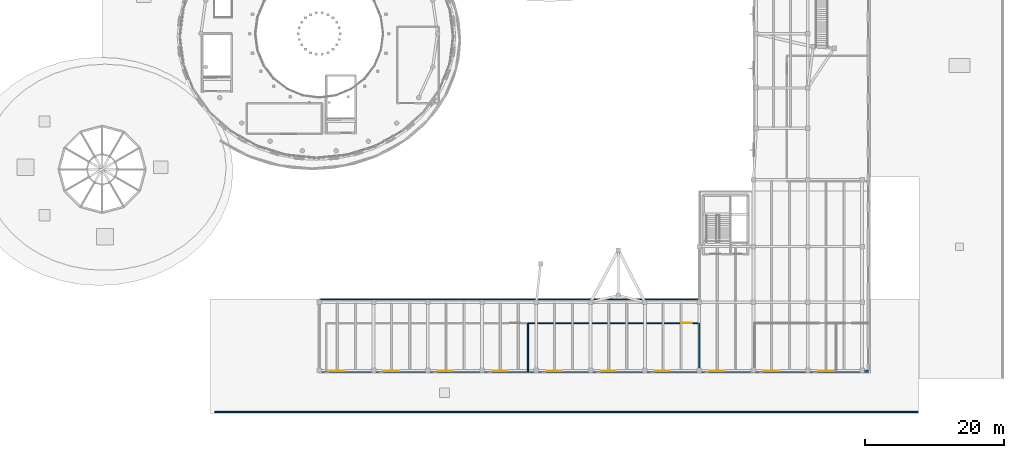
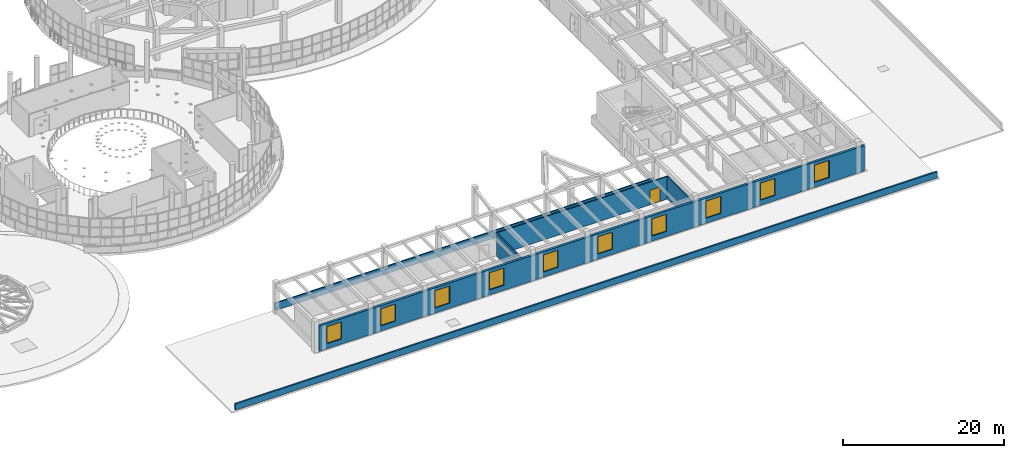
# One storey, part 87 of 105: 10 windows, 6 walls, 1 door, 11 openings.
"""IFC4 building model written with IfcOpenShell, lengths in metres."""

from ifc_helpers import new_model, si_unit, direction, frame, frame_2d, origin, place, context, subcontext, project, spatial, rectangle, extrude, material, layer, layer_set, type_object, element, fill, save


model = new_model("IFC4")

# Units and contexts
model_context = context("Model", 3, precision=1e-05, world=origin(), true_north=direction((0.0, 1.0)))
body_context = subcontext(model_context, "Body", "Model", "MODEL_VIEW")
ifc_project = project(units=[si_unit("LENGTHUNIT", "METRE"), si_unit("AREAUNIT", "SQUARE_METRE"), si_unit("VOLUMEUNIT", "CUBIC_METRE"), si_unit("PLANEANGLEUNIT", "RADIAN"), si_unit("MASSUNIT", "GRAM", prefix="KILO")], contexts=[model_context])

# Site, building, storey
site_placement = place(None, origin())
site = spatial("IfcSite", under=ifc_project, at=site_placement, CompositionType="ELEMENT")
building_placement = place(site_placement, origin())
building = spatial("IfcBuilding", under=site, at=building_placement, Name="Pelvatis Terrace Science Centre", CompositionType="ELEMENT")
storey_placement = place(building_placement, frame((0.0, 0.0, 10.199951171875)))
storey = spatial("IfcBuildingStorey", under=building, at=storey_placement, Name="L02", CompositionType="ELEMENT", Elevation=10.199951171875)

# Wall, openings, windows
ifc_material_1 = material(Name="Precast concrete C35/45 architectural stone", Category="masonry")
ifc_layer_1 = layer(ifc_material_1, 0.324951171875)
ifc_layer_set_1 = layer_set([ifc_layer_1], Name="Precast concrete C35/45 architectural stone")
wall_type_1 = type_object("IfcWallType", Name="WL-EXT-PREC-325", PredefinedType="SOLIDWALL", material=ifc_layer_set_1)
wall_1_placement = place(storey_placement, frame((78.39990234375, 6.10009765625, 0.0), z_axis=(0.0, 0.0, 1.0), x_axis=(1.0, 0.0, 0.0)))
wall_1 = element("IfcWall", 1, at=wall_1_placement, inside=storey, type_object=wall_type_1, Name="Exterior classical Art Deco facade wall EW-L02-S", PredefinedType="SOLIDWALL", context=body_context, shape_type="SweptSolid", body=[
    extrude(rectangle(XDim=78.5, YDim=0.324951171875, at=frame_2d((39.25, 0.0))), origin(), (0.0, 0.0, 1.0), 3.860107421875),
])
opening_1_placement = place(wall_1_placement, frame((1.10009765625, 0.0, 0.780029296875)))
opening_1 = element("IfcOpeningElement", 2, at=opening_1_placement, cuts=wall_1, Name="Opening W-056", PredefinedType="OPENING", context=body_context, shape_type="SweptSolid", body=[
    extrude(rectangle(XDim=2.10009765625, YDim=2.60009765625, at=frame_2d((1.050048828125, 1.300048828125))), frame((0.0, 0.17236328125, 0.0), z_axis=(0.0, -1.0, 0.0), x_axis=(1.0, 0.0, 0.0)), (0.0, 0.0, 1.0), 0.344970703125),
])
opening_2_placement = place(wall_1_placement, frame((8.89990234375, 0.0, 0.780029296875)))
opening_2 = element("IfcOpeningElement", 3, at=opening_2_placement, cuts=wall_1, Name="Opening W-057", PredefinedType="OPENING", context=body_context, shape_type="SweptSolid", body=[
    extrude(rectangle(XDim=2.10009765625, YDim=2.60009765625, at=frame_2d((1.050048828125, 1.300048828125))), frame((0.0, 0.17236328125, 0.0), z_axis=(0.0, -1.0, 0.0), x_axis=(1.0, 0.0, 0.0)), (0.0, 0.0, 1.0), 0.344970703125),
])
opening_3_placement = place(wall_1_placement, frame((16.699951171875, 0.0, 0.780029296875)))
opening_3 = element("IfcOpeningElement", 4, at=opening_3_placement, cuts=wall_1, Name="Opening W-058", PredefinedType="OPENING", context=body_context, shape_type="SweptSolid", body=[
    extrude(rectangle(XDim=2.10009765625, YDim=2.60009765625, at=frame_2d((1.050048828125, 1.300048828125))), frame((0.0, 0.17236328125, 0.0), z_axis=(0.0, -1.0, 0.0), x_axis=(1.0, 0.0, 0.0)), (0.0, 0.0, 1.0), 0.344970703125),
])
opening_4_placement = place(wall_1_placement, frame((24.5, 0.0, 0.780029296875)))
opening_4 = element("IfcOpeningElement", 5, at=opening_4_placement, cuts=wall_1, Name="Opening W-059", PredefinedType="OPENING", context=body_context, shape_type="SweptSolid", body=[
    extrude(rectangle(XDim=2.10009765625, YDim=2.60009765625, at=frame_2d((1.050048828125, 1.300048828125))), frame((0.0, 0.17236328125, 0.0), z_axis=(0.0, -1.0, 0.0), x_axis=(1.0, 0.0, 0.0)), (0.0, 0.0, 1.0), 0.344970703125),
])
opening_5_placement = place(wall_1_placement, frame((32.300048828125, 0.0, 0.780029296875)))
opening_5 = element("IfcOpeningElement", 6, at=opening_5_placement, cuts=wall_1, Name="Opening W-060", PredefinedType="OPENING", context=body_context, shape_type="SweptSolid", body=[
    extrude(rectangle(XDim=2.10009765625, YDim=2.60009765625, at=frame_2d((1.050048828125, 1.300048828125))), frame((0.0, 0.17236328125, 0.0), z_axis=(0.0, -1.0, 0.0), x_axis=(1.0, 0.0, 0.0)), (0.0, 0.0, 1.0), 0.344970703125),
])
opening_6_placement = place(wall_1_placement, frame((40.10009765625, 0.0, 0.780029296875)))
opening_6 = element("IfcOpeningElement", 7, at=opening_6_placement, cuts=wall_1, Name="Opening W-061", PredefinedType="OPENING", context=body_context, shape_type="SweptSolid", body=[
    extrude(rectangle(XDim=2.10009765625, YDim=2.60009765625, at=frame_2d((1.050048828125, 1.300048828125))), frame((0.0, 0.17236328125, 0.0), z_axis=(0.0, -1.0, 0.0), x_axis=(1.0, 0.0, 0.0)), (0.0, 0.0, 1.0), 0.344970703125),
])
opening_7_placement = place(wall_1_placement, frame((47.89990234375, 0.0, 0.780029296875)))
opening_7 = element("IfcOpeningElement", 8, at=opening_7_placement, cuts=wall_1, Name="Opening W-062", PredefinedType="OPENING", context=body_context, shape_type="SweptSolid", body=[
    extrude(rectangle(XDim=2.10009765625, YDim=2.60009765625, at=frame_2d((1.050048828125, 1.300048828125))), frame((0.0, 0.17236328125, 0.0), z_axis=(0.0, -1.0, 0.0), x_axis=(1.0, 0.0, 0.0)), (0.0, 0.0, 1.0), 0.344970703125),
])
opening_8_placement = place(wall_1_placement, frame((55.699951171875, 0.0, 0.780029296875)))
opening_8 = element("IfcOpeningElement", 9, at=opening_8_placement, cuts=wall_1, Name="Opening W-063", PredefinedType="OPENING", context=body_context, shape_type="SweptSolid", body=[
    extrude(rectangle(XDim=2.10009765625, YDim=2.60009765625, at=frame_2d((1.050048828125, 1.300048828125))), frame((0.0, 0.17236328125, 0.0), z_axis=(0.0, -1.0, 0.0), x_axis=(1.0, 0.0, 0.0)), (0.0, 0.0, 1.0), 0.344970703125),
])
opening_9_placement = place(wall_1_placement, frame((63.5, 0.0, 0.780029296875)))
opening_9 = element("IfcOpeningElement", 10, at=opening_9_placement, cuts=wall_1, Name="Opening W-064", PredefinedType="OPENING", context=body_context, shape_type="SweptSolid", body=[
    extrude(rectangle(XDim=2.10009765625, YDim=2.60009765625, at=frame_2d((1.050048828125, 1.300048828125))), frame((0.0, 0.17236328125, 0.0), z_axis=(0.0, -1.0, 0.0), x_axis=(1.0, 0.0, 0.0)), (0.0, 0.0, 1.0), 0.344970703125),
])
opening_10_placement = place(wall_1_placement, frame((71.300048828125, 0.0, 0.780029296875)))
opening_10 = element("IfcOpeningElement", 11, at=opening_10_placement, cuts=wall_1, Name="Opening W-065", PredefinedType="OPENING", context=body_context, shape_type="SweptSolid", body=[
    extrude(rectangle(XDim=2.10009765625, YDim=2.60009765625, at=frame_2d((1.050048828125, 1.300048828125))), frame((0.0, 0.17236328125, 0.0), z_axis=(0.0, -1.0, 0.0), x_axis=(1.0, 0.0, 0.0)), (0.0, 0.0, 1.0), 0.344970703125),
])
ifc_material_2 = material(Name="Bronze-anodised aluminium and laminated low-e glass", Category="aluminium")
window_type = type_object("IfcWindowType", Name="WIN-AD-2100x2600", PartitioningType="SINGLE_PANEL", PredefinedType="WINDOW", material=ifc_material_2)
window_1_placement = place(opening_1_placement, origin())
window_1 = element("IfcWindow", 12, at=window_1_placement, inside=storey, type_object=window_type, Name="Art Deco facade window W-056 (L02)", OverallHeight=2.60009765625, OverallWidth=2.10009765625, PartitioningType="SINGLE_PANEL", PredefinedType="WINDOW", context=body_context, shape_type="SweptSolid", body=[
    extrude(rectangle(XDim=2.10009765625, YDim=2.60009765625, at=frame_2d((1.050048828125, 1.300048828125))), frame((0.0, 0.030029296875, 0.0), z_axis=(0.0, -1.0, 0.0), x_axis=(1.0, 0.0, 0.0)), (0.0, 0.0, 1.0), 0.06005859375),
])
fill(opening_1, window_1)
window_2_placement = place(opening_2_placement, origin())
window_2 = element("IfcWindow", 13, at=window_2_placement, inside=storey, type_object=window_type, Name="Art Deco facade window W-057 (L02)", OverallHeight=2.60009765625, OverallWidth=2.10009765625, PartitioningType="SINGLE_PANEL", PredefinedType="WINDOW", context=body_context, shape_type="SweptSolid", body=[
    extrude(rectangle(XDim=2.10009765625, YDim=2.60009765625, at=frame_2d((1.050048828125, 1.300048828125))), frame((0.0, 0.030029296875, 0.0), z_axis=(0.0, -1.0, 0.0), x_axis=(1.0, 0.0, 0.0)), (0.0, 0.0, 1.0), 0.06005859375),
])
fill(opening_2, window_2)
window_3_placement = place(opening_3_placement, origin())
window_3 = element("IfcWindow", 14, at=window_3_placement, inside=storey, type_object=window_type, Name="Art Deco facade window W-058 (L02)", OverallHeight=2.60009765625, OverallWidth=2.10009765625, PartitioningType="SINGLE_PANEL", PredefinedType="WINDOW", context=body_context, shape_type="SweptSolid", body=[
    extrude(rectangle(XDim=2.10009765625, YDim=2.60009765625, at=frame_2d((1.050048828125, 1.300048828125))), frame((0.0, 0.030029296875, 0.0), z_axis=(0.0, -1.0, 0.0), x_axis=(1.0, 0.0, 0.0)), (0.0, 0.0, 1.0), 0.06005859375),
])
fill(opening_3, window_3)
window_4_placement = place(opening_4_placement, origin())
window_4 = element("IfcWindow", 15, at=window_4_placement, inside=storey, type_object=window_type, Name="Art Deco facade window W-059 (L02)", OverallHeight=2.60009765625, OverallWidth=2.10009765625, PartitioningType="SINGLE_PANEL", PredefinedType="WINDOW", context=body_context, shape_type="SweptSolid", body=[
    extrude(rectangle(XDim=2.10009765625, YDim=2.60009765625, at=frame_2d((1.050048828125, 1.300048828125))), frame((0.0, 0.030029296875, 0.0), z_axis=(0.0, -1.0, 0.0), x_axis=(1.0, 0.0, 0.0)), (0.0, 0.0, 1.0), 0.06005859375),
])
fill(opening_4, window_4)
window_5_placement = place(opening_5_placement, origin())
window_5 = element("IfcWindow", 16, at=window_5_placement, inside=storey, type_object=window_type, Name="Art Deco facade window W-060 (L02)", OverallHeight=2.60009765625, OverallWidth=2.10009765625, PartitioningType="SINGLE_PANEL", PredefinedType="WINDOW", context=body_context, shape_type="SweptSolid", body=[
    extrude(rectangle(XDim=2.10009765625, YDim=2.60009765625, at=frame_2d((1.050048828125, 1.300048828125))), frame((0.0, 0.030029296875, 0.0), z_axis=(0.0, -1.0, 0.0), x_axis=(1.0, 0.0, 0.0)), (0.0, 0.0, 1.0), 0.06005859375),
])
fill(opening_5, window_5)
window_6_placement = place(opening_6_placement, origin())
window_6 = element("IfcWindow", 17, at=window_6_placement, inside=storey, type_object=window_type, Name="Art Deco facade window W-061 (L02)", OverallHeight=2.60009765625, OverallWidth=2.10009765625, PartitioningType="SINGLE_PANEL", PredefinedType="WINDOW", context=body_context, shape_type="SweptSolid", body=[
    extrude(rectangle(XDim=2.10009765625, YDim=2.60009765625, at=frame_2d((1.050048828125, 1.300048828125))), frame((0.0, 0.030029296875, 0.0), z_axis=(0.0, -1.0, 0.0), x_axis=(1.0, 0.0, 0.0)), (0.0, 0.0, 1.0), 0.06005859375),
])
fill(opening_6, window_6)
window_7_placement = place(opening_7_placement, origin())
window_7 = element("IfcWindow", 18, at=window_7_placement, inside=storey, type_object=window_type, Name="Art Deco facade window W-062 (L02)", OverallHeight=2.60009765625, OverallWidth=2.10009765625, PartitioningType="SINGLE_PANEL", PredefinedType="WINDOW", context=body_context, shape_type="SweptSolid", body=[
    extrude(rectangle(XDim=2.10009765625, YDim=2.60009765625, at=frame_2d((1.050048828125, 1.300048828125))), frame((0.0, 0.030029296875, 0.0), z_axis=(0.0, -1.0, 0.0), x_axis=(1.0, 0.0, 0.0)), (0.0, 0.0, 1.0), 0.06005859375),
])
fill(opening_7, window_7)
window_8_placement = place(opening_8_placement, origin())
window_8 = element("IfcWindow", 19, at=window_8_placement, inside=storey, type_object=window_type, Name="Art Deco facade window W-063 (L02)", OverallHeight=2.60009765625, OverallWidth=2.10009765625, PartitioningType="SINGLE_PANEL", PredefinedType="WINDOW", context=body_context, shape_type="SweptSolid", body=[
    extrude(rectangle(XDim=2.10009765625, YDim=2.60009765625, at=frame_2d((1.050048828125, 1.300048828125))), frame((0.0, 0.030029296875, 0.0), z_axis=(0.0, -1.0, 0.0), x_axis=(1.0, 0.0, 0.0)), (0.0, 0.0, 1.0), 0.06005859375),
])
fill(opening_8, window_8)
window_9_placement = place(opening_9_placement, origin())
window_9 = element("IfcWindow", 20, at=window_9_placement, inside=storey, type_object=window_type, Name="Art Deco facade window W-064 (L02)", OverallHeight=2.60009765625, OverallWidth=2.10009765625, PartitioningType="SINGLE_PANEL", PredefinedType="WINDOW", context=body_context, shape_type="SweptSolid", body=[
    extrude(rectangle(XDim=2.10009765625, YDim=2.60009765625, at=frame_2d((1.050048828125, 1.300048828125))), frame((0.0, 0.030029296875, 0.0), z_axis=(0.0, -1.0, 0.0), x_axis=(1.0, 0.0, 0.0)), (0.0, 0.0, 1.0), 0.06005859375),
])
fill(opening_9, window_9)
window_10_placement = place(opening_10_placement, origin())
window_10 = element("IfcWindow", 21, at=window_10_placement, inside=storey, type_object=window_type, Name="Art Deco facade window W-065 (L02)", OverallHeight=2.60009765625, OverallWidth=2.10009765625, PartitioningType="SINGLE_PANEL", PredefinedType="WINDOW", context=body_context, shape_type="SweptSolid", body=[
    extrude(rectangle(XDim=2.10009765625, YDim=2.60009765625, at=frame_2d((1.050048828125, 1.300048828125))), frame((0.0, 0.030029296875, 0.0), z_axis=(0.0, -1.0, 0.0), x_axis=(1.0, 0.0, 0.0)), (0.0, 0.0, 1.0), 0.06005859375),
])
fill(opening_10, window_10)

# Walls
ifc_material_3 = material(Name="Dry studio acoustic partition", Category="masonry")
ifc_layer_2 = layer(ifc_material_3, 0.1650390625)
ifc_layer_set_2 = layer_set([ifc_layer_2], Name="Dry studio acoustic partition")
wall_type_2 = type_object("IfcWallType", Name="WL-INT-LAB-165", PredefinedType="PARTITIONING", material=ifc_layer_set_2)
for number, where, z_axis, x_axis, name in (
    (22, (108.0, 6.10009765625, 0.0), (0.0, 0.0, 1.0), (0.0, 1.0, 0.0), "Dry Physics, Electromagnetism and Optics Studio 1 partition wall E"),
    (23, (132.60009765625, 6.10009765625, 0.0), (0.0, 0.0, 1.0), (0.0, 1.0, 0.0), "Robotics, Coding and Autonomous Systems Studio 2 partition wall E"),
):
    element("IfcWall", number, at=place(storey_placement, frame(where, z_axis=z_axis, x_axis=x_axis)), inside=storey, type_object=wall_type_2, Name=name, PredefinedType="PARTITIONING", context=body_context, shape_type="SweptSolid", body=[
        extrude(rectangle(XDim=6.89990234375, YDim=0.1650390625, at=frame_2d((3.449951171875, 0.0))), origin(), (0.0, 0.0, 1.0), 3.449951171875),
    ])

# Wall, opening, door
wall_2_placement = place(storey_placement, frame((132.60009765625, 13.0, 0.0), z_axis=(0.0, 0.0, 1.0), x_axis=(-1.0, 0.0, 0.0)))
wall_2 = element("IfcWall", 24, at=wall_2_placement, inside=storey, type_object=wall_type_2, Name="Robotics, Coding and Autonomous Systems Studio 2 partition wall N", PredefinedType="PARTITIONING", context=body_context, shape_type="SweptSolid", body=[
    extrude(rectangle(XDim=24.60009765625, YDim=0.1650390625, at=frame_2d((12.300048828125, 0.0))), origin(), (0.0, 0.0, 1.0), 3.449951171875),
])
opening_11_placement = place(wall_2_placement, frame((1.10400390625, 0.0, 0.0)))
opening_11 = element("IfcOpeningElement", 25, at=opening_11_placement, cuts=wall_2, Name="Opening D-206", PredefinedType="OPENING", context=body_context, shape_type="SweptSolid", body=[
    extrude(rectangle(XDim=1.449951171875, YDim=2.199951171875, at=frame_2d((0.72509765625, 1.10009765625))), frame((0.0, 0.092529296875, 0.0), z_axis=(0.0, -1.0, 0.0), x_axis=(1.0, 0.0, 0.0)), (0.0, 0.0, 1.0), 0.18505859375),
])
ifc_material_4 = material(Name="Leaf-and-a-half dry studio door", Category="wood")
door_type = type_object("IfcDoorType", Name="DR-LAB-1450x2200", OperationType="NOTDEFINED", PredefinedType="DOOR", material=ifc_material_4)
door_placement = place(opening_11_placement, origin())
door = element("IfcDoor", 26, at=door_placement, inside=storey, type_object=door_type, Name="Robotics, Coding and Autonomous Systems Studio 2 entrance door", OperationType="SINGLE_SWING_LEFT", OverallHeight=2.199951171875, OverallWidth=1.449951171875, PredefinedType="DOOR", context=body_context, shape_type="SweptSolid", body=[
    extrude(rectangle(XDim=1.449951171875, YDim=2.199951171875, at=frame_2d((0.72509765625, 1.10009765625))), frame((0.0, 0.02490234375, 0.0), z_axis=(0.0, -1.0, 0.0), x_axis=(1.0, 0.0, 0.0)), (0.0, 0.0, 1.0), 0.050048828125),
])
fill(opening_11, door)

# Walls
ifc_material_5 = material(Name="White architectural precast concrete C40/50 spandrel parapet", Category="concrete")
ifc_layer_3 = layer(ifc_material_5, 0.18994140625)
ifc_layer_set_3 = layer_set([ifc_layer_3], Name="White architectural precast concrete C40/50 spandrel parapet")
wall_type_3 = type_object("IfcWallType", Name="WL-PAR-190", PredefinedType="PARAPET", material=ifc_layer_set_3)
wall_3_placement = place(storey_placement, frame((78.06005859375, 16.43994140625, 0.0), z_axis=(0.0, 0.0, 1.0), x_axis=(0.999999998787, 4.925579e-05, 0.0)))
element("IfcWall", 27, at=wall_3_placement, inside=storey, type_object=wall_type_3, Name="Perimeter edge closure parapet PW-EDG-L02-243", PredefinedType="PARAPET", context=body_context, shape_type="SweptSolid", body=[
    extrude(rectangle(XDim=54.5224609375, YDim=0.18994140625, at=frame_2d((27.26123046875, 0.0))), origin(), (0.0, 0.0, 1.0), 1.1201171875),
])
ifc_material_6 = material(Name="Precast concrete C35/45 coping parapet", Category="concrete")
ifc_layer_4 = layer(ifc_material_6, 0.219970703125)
ifc_layer_set_4 = layer_set([ifc_layer_4], Name="Precast concrete C35/45 coping parapet")
wall_type_4 = type_object("IfcWallType", Name="WL-PAR-220", PredefinedType="PARAPET", material=ifc_layer_set_4)
wall_4_placement = place(storey_placement, frame((63.0, 0.199951171875, 0.0), z_axis=(0.0, 0.0, 1.0), x_axis=(1.0, 0.0, 0.0)))
element("IfcWall", 28, at=wall_4_placement, inside=storey, type_object=wall_type_4, Name="Classical cornice parapet PW-L02-1", PredefinedType="PARAPET", context=body_context, shape_type="SweptSolid", body=[
    extrude(rectangle(XDim=101.0, YDim=0.219970703125, at=frame_2d((50.5, 0.0))), origin(), (0.0, 0.0, 1.0), 0.949951171875),
])

save(model, "model.ifc")
